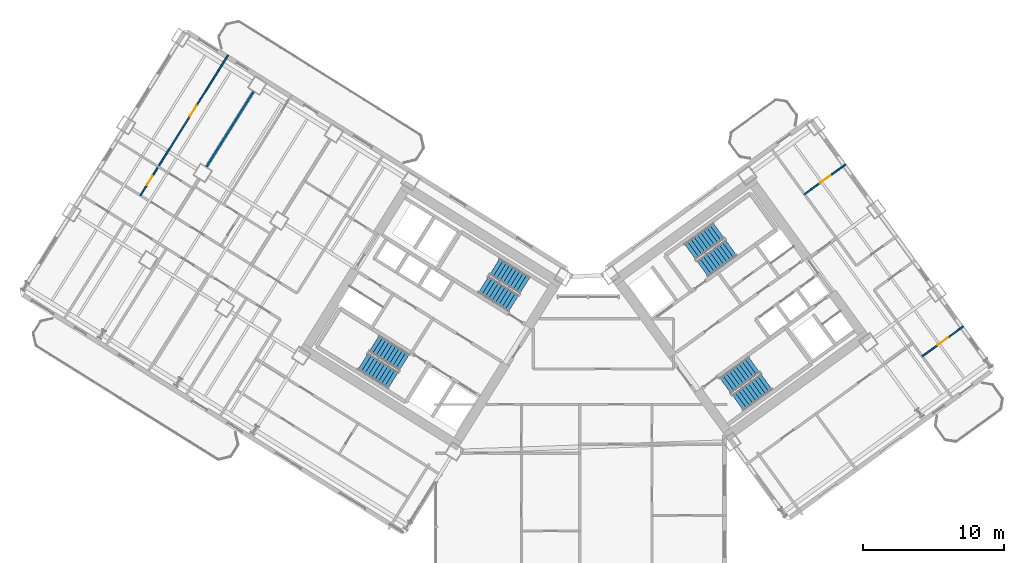
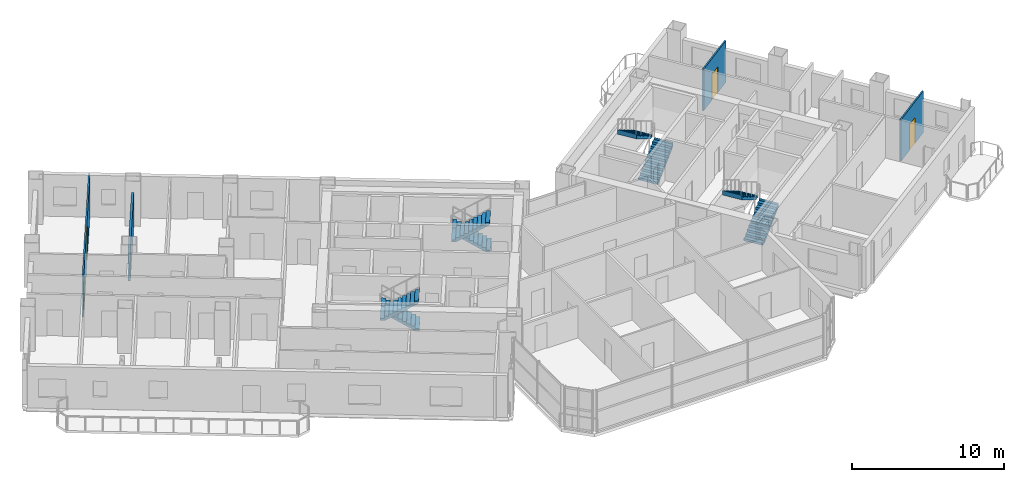
# One storey, part 20 of 24: 8 stair flights, 4 doors, 4 walls, 4 openings, 4 elements without a shape of their own.
"""IFC4 building model written with IfcOpenShell, lengths in metres."""

from ifc_helpers import new_model, si_unit, direction, frame, frame_2d, origin, place, context, subcontext, project, spatial, polyline, rectangle, outline, extrude, source, transform, mapped, material, layer, layer_set, type_object, element, fill, aggregate, save


model = new_model("IFC4")

# Units and contexts
model_context = context("Model", 3, precision=1e-05, world=origin(), true_north=direction((0.0, 1.0)))
body_context = subcontext(model_context, "Body", "Model", "MODEL_VIEW")
ifc_project = project(units=[si_unit("LENGTHUNIT", "METRE"), si_unit("AREAUNIT", "SQUARE_METRE"), si_unit("VOLUMEUNIT", "CUBIC_METRE"), si_unit("PLANEANGLEUNIT", "RADIAN"), si_unit("MASSUNIT", "GRAM", prefix="KILO")], contexts=[model_context])

# Site, building, storey
site_placement = place(None, origin())
site = spatial("IfcSite", under=ifc_project, at=site_placement, CompositionType="ELEMENT")
building_placement = place(site_placement, origin())
building = spatial("IfcBuilding", under=site, at=building_placement, Name="Tlacorven Tower", CompositionType="ELEMENT")
storey_placement = place(building_placement, frame((0.0, 0.0, 60.0)))
storey = spatial("IfcBuildingStorey", under=building, at=storey_placement, Name="L15", CompositionType="ELEMENT", Elevation=60.0)

# Wall
ifc_material_1 = material(Name="Gypsum plasterboard acoustic partition", Category="gypsum")
ifc_layer_1 = layer(ifc_material_1, 0.159912109375)
ifc_layer_set_1 = layer_set([ifc_layer_1], Name="Gypsum plasterboard acoustic partition")
wall_type_1 = type_object("IfcWallType", Name="WL-DEM-160", PredefinedType="PARTITIONING", material=ifc_layer_set_1)
wall_1_placement = place(storey_placement, frame((18.801513671875, 37.60009765625, 0.0), z_axis=(0.0, 0.0, 1.0), x_axis=(-0.529915015264, -0.848050751193, 0.0)))
element("IfcWall", 1, at=wall_1_placement, inside=storey, type_object=wall_type_1, Name="L15 WS Demising Wall 2", PredefinedType="PARTITIONING", context=body_context, shape_type="SweptSolid", body=[
    extrude(rectangle(XDim=6.27587890625, YDim=0.159912109375, at=frame_2d((3.137939453125, 0.0))), origin(), (0.0, 0.0, 1.0), 2.72509765625),
])

# Wall, openings, doors
ifc_material_2 = material(Name="Gypsum plasterboard partition", Category="gypsum")
ifc_layer_2 = layer(ifc_material_2, 0.110107421875)
ifc_layer_set_2 = layer_set([ifc_layer_2], Name="Gypsum plasterboard partition")
wall_type_2 = type_object("IfcWallType", Name="WL-INT-110", PredefinedType="PARTITIONING", material=ifc_layer_set_2)
wall_2_placement = place(storey_placement, frame((16.9951171875, 40.181640625, 0.0), z_axis=(0.0, 0.0, 1.0), x_axis=(-0.529927783988, -0.848042772363, 0.0)))
wall_2 = element("IfcWall", 2, at=wall_2_placement, inside=storey, type_object=wall_type_2, Name="L15 partition 64", PredefinedType="PARTITIONING", context=body_context, shape_type="SweptSolid", body=[
    extrude(rectangle(XDim=11.719970703125, YDim=0.110107421875, at=frame_2d((5.85986328125, 0.0))), origin(), (0.0, 0.0, 1.0), 3.340087890625),
])
opening_1_placement = place(wall_2_placement, frame((10.080078125, 0.0, 0.0)))
opening_1 = element("IfcOpeningElement", 3, at=opening_1_placement, cuts=wall_2, Name="Opening D22", PredefinedType="OPENING", context=body_context, shape_type="SweptSolid", body=[
    extrude(rectangle(XDim=0.780029296875, YDim=2.050048828125, at=frame_2d((0.39013671875, 1.02490234375))), frame((0.0, 0.06494140625, 0.0), z_axis=(0.0, -1.0, 0.0), x_axis=(1.0, 0.0, 0.0)), (0.0, 0.0, 1.0), 0.130126953125),
])
opening_2_placement = place(wall_2_placement, frame((4.199951171875, 0.0, 0.0)))
opening_2 = element("IfcOpeningElement", 4, at=opening_2_placement, cuts=wall_2, Name="Opening D12", PredefinedType="OPENING", context=body_context, shape_type="SweptSolid", body=[
    extrude(rectangle(XDim=0.919921875, YDim=2.080078125, at=frame_2d((0.4599609375, 1.0400390625))), frame((0.0, 0.06494140625, 0.0), z_axis=(0.0, -1.0, 0.0), x_axis=(1.0, 0.0, 0.0)), (0.0, 0.0, 1.0), 0.130126953125),
])
ifc_material_3 = material(Name="Powder-coated aluminium and timber door", Category="wood")
door_type_1 = type_object("IfcDoorType", Name="DR-INT-WET-0780", OperationType="NOTDEFINED", PredefinedType="DOOR", material=ifc_material_3)
shared_shape_1 = source(origin(), body_context, "Body", "SweptSolid", [
    extrude(rectangle(XDim=0.780029296875, YDim=2.050048828125, at=frame_2d((0.39013671875, 1.02490234375))), frame((0.0, 0.02490234375, 0.0), z_axis=(0.0, -1.0, 0.0), x_axis=(1.0, 0.0, 0.0)), (0.0, 0.0, 1.0), 0.050048828125),
])
door_1_placement = place(opening_1_placement, origin())
door_1 = element("IfcDoor", 5, at=door_1_placement, inside=storey, type_object=door_type_1, Name="L15 door 035", OperationType="SINGLE_SWING_RIGHT", OverallHeight=2.050048828125, OverallWidth=0.780029296875, PredefinedType="DOOR", context=body_context, shape_type="MappedRepresentation", body=[
    mapped(shared_shape_1, transform((0.0, 0.0, 0.0), scale=1.0)),
])
fill(opening_1, door_1)
door_type_2 = type_object("IfcDoorType", Name="DR-INT-ROOM-0920", OperationType="NOTDEFINED", PredefinedType="DOOR", material=ifc_material_3)
shared_shape_2 = source(origin(), body_context, "Body", "SweptSolid", [
    extrude(rectangle(XDim=0.919921875, YDim=2.080078125, at=frame_2d((0.4599609375, 1.0400390625))), frame((0.0, 0.02490234375, 0.0), z_axis=(0.0, -1.0, 0.0), x_axis=(1.0, 0.0, 0.0)), (0.0, 0.0, 1.0), 0.050048828125),
])
door_2_placement = place(opening_2_placement, origin())
door_2 = element("IfcDoor", 6, at=door_2_placement, inside=storey, type_object=door_type_2, Name="L15 door 036", OperationType="SINGLE_SWING_LEFT", OverallHeight=2.080078125, OverallWidth=0.919921875, PredefinedType="DOOR", context=body_context, shape_type="MappedRepresentation", body=[
    mapped(shared_shape_2, transform((0.0, 0.0, 0.0), scale=1.0)),
])
fill(opening_2, door_2)

# Wall, opening, door
wall_3_placement = place(storey_placement, frame((57.88916015625, 30.32421875, 0.0), z_axis=(0.0, 0.0, 1.0), x_axis=(0.809005039917, 0.58780170584, 0.0)))
wall_3 = element("IfcWall", 7, at=wall_3_placement, inside=storey, type_object=wall_type_2, Name="L15 partition 96", PredefinedType="PARTITIONING", context=body_context, shape_type="SweptSolid", body=[
    extrude(rectangle(XDim=3.610107421875, YDim=0.110107421875, at=frame_2d((1.80517578125, 0.0))), origin(), (0.0, 0.0, 1.0), 3.340087890625),
])
opening_3_placement = place(wall_3_placement, frame((1.344970703125, 0.0, 0.0)))
opening_3 = element("IfcOpeningElement", 8, at=opening_3_placement, cuts=wall_3, Name="Opening D12", PredefinedType="OPENING", context=body_context, shape_type="SweptSolid", body=[
    extrude(rectangle(XDim=0.919921875, YDim=2.080078125, at=frame_2d((0.4599609375, 1.0400390625))), frame((0.0, 0.06494140625, 0.0), z_axis=(0.0, -1.0, 0.0), x_axis=(1.0, 0.0, 0.0)), (0.0, 0.0, 1.0), 0.130126953125),
])
door_3_placement = place(opening_3_placement, origin())
door_3 = element("IfcDoor", 9, at=door_3_placement, inside=storey, type_object=door_type_2, Name="L15 door 056", OperationType="SINGLE_SWING_LEFT", OverallHeight=2.080078125, OverallWidth=0.919921875, PredefinedType="DOOR", context=body_context, shape_type="MappedRepresentation", body=[
    mapped(shared_shape_2, transform((0.0, 0.0, 0.0), scale=1.0)),
])
fill(opening_3, door_3)

wall_4_placement = place(storey_placement, frame((66.23828125, 18.8330078125, 0.0), z_axis=(0.0, 0.0, 1.0), x_axis=(0.809013833588, 0.587789602718, 0.0)))
wall_4 = element("IfcWall", 10, at=wall_4_placement, inside=storey, type_object=wall_type_2, Name="L15 partition 97", PredefinedType="PARTITIONING", context=body_context, shape_type="SweptSolid", body=[
    extrude(rectangle(XDim=3.60986328125, YDim=0.110107421875, at=frame_2d((1.804931640625, 0.0))), origin(), (0.0, 0.0, 1.0), 3.340087890625),
])
opening_4_placement = place(wall_4_placement, frame((1.344970703125, 0.0, 0.0)))
opening_4 = element("IfcOpeningElement", 11, at=opening_4_placement, cuts=wall_4, Name="Opening D12", PredefinedType="OPENING", context=body_context, shape_type="SweptSolid", body=[
    extrude(rectangle(XDim=0.919921875, YDim=2.080078125, at=frame_2d((0.4599609375, 1.0400390625))), frame((0.0, 0.06494140625, 0.0), z_axis=(0.0, -1.0, 0.0), x_axis=(1.0, 0.0, 0.0)), (0.0, 0.0, 1.0), 0.130126953125),
])
door_4_placement = place(opening_4_placement, origin())
door_4 = element("IfcDoor", 12, at=door_4_placement, inside=storey, type_object=door_type_2, Name="L15 door 058", OperationType="SINGLE_SWING_LEFT", OverallHeight=2.080078125, OverallWidth=0.919921875, PredefinedType="DOOR", context=body_context, shape_type="MappedRepresentation", body=[
    mapped(shared_shape_2, transform((0.0, 0.0, 0.0), scale=1.0)),
])
fill(opening_4, door_4)

# Stair, stair flights
ifc_material_4 = material(Name="Concrete C40/50", Category="concrete")
stair_type = type_object("IfcStairType", Name="ST-CORE-DLG", PredefinedType="HALF_TURN_STAIR", material=ifc_material_4)
stair_1_placement = place(storey_placement, origin())
stair_1 = element("IfcStair", 13, at=stair_1_placement, inside=storey, type_object=stair_type, Name="L15 Protected Exit Stair West 1", PredefinedType="HALF_TURN_STAIR")
stair_flight_type = type_object("IfcStairFlightType", Name="SFL-RC-1380", PredefinedType="STRAIGHT", material=ifc_material_4)
shared_shape_3 = source(origin(), body_context, "Body", "SweptSolid", [
    extrude(outline(polyline([(-0.0029296875, -0.0029296875), (-0.0029296875, 0.179931640625), (0.280029296875, 0.179931640625), (0.280029296875, 0.360107421875), (0.56005859375, 0.360107421875), (0.56005859375, 0.5400390625), (0.840087890625, 0.5400390625), (0.840087890625, 0.719970703125), (1.1201171875, 0.719970703125), (1.1201171875, 0.89990234375), (1.39990234375, 0.89990234375), (1.39990234375, 1.080078125), (1.679931640625, 1.080078125), (1.679931640625, 1.260009765625), (1.9599609375, 1.260009765625), (1.9599609375, 1.43994140625), (2.239990234375, 1.43994140625), (2.239990234375, 1.6201171875), (2.52001953125, 1.6201171875), (2.52001953125, 1.800048828125), (2.52294921875, 1.800048828125), (2.52294921875, 1.429931640625), (2.52001953125, 1.429931640625), (0.295654296875, 0.0), (0.295654296875, -0.0029296875), (-0.0029296875, -0.0029296875)])), frame((0.0, 0.68994140625, 0.0), z_axis=(0.0, -1.0, 0.0), x_axis=(1.0, 0.0, 0.0)), (0.0, 0.0, 1.0), 1.3798828125),
])
stair_flight_1_placement = place(storey_placement, frame((29.499755859375, 18.39453125, 0.0), z_axis=(0.0, 0.0, 1.0), x_axis=(-0.848048096156, 0.529919264233, 0.0)))
stair_flight_1 = element("IfcStairFlight", 14, at=stair_flight_1_placement, type_object=stair_flight_type, Name="ST-W1 flight 1", NumberOfRisers=10, NumberOfTreads=9, PredefinedType="STRAIGHT", RiserHeight=0.18, TreadLength=0.28, context=body_context, shape_type="MappedRepresentation", body=[
    mapped(shared_shape_3, transform((0.0, 0.0, 0.0), scale=1.0)),
])
stair_flight_2_placement = place(storey_placement, frame((26.56787109375, 18.4580078125, 1.800048828125), z_axis=(0.0, 0.0, 1.0), x_axis=(0.848048096156, -0.529919264233, 0.0)))
stair_flight_2 = element("IfcStairFlight", 15, at=stair_flight_2_placement, type_object=stair_flight_type, Name="ST-W1 flight 2", NumberOfRisers=10, NumberOfTreads=9, PredefinedType="STRAIGHT", RiserHeight=0.18, TreadLength=0.28, context=body_context, shape_type="MappedRepresentation", body=[
    mapped(shared_shape_3, transform((0.0, 0.0, 0.0), scale=1.0)),
])
aggregate(stair_1, [stair_flight_1, stair_flight_2])

stair_2_placement = place(storey_placement, origin())
stair_2 = element("IfcStair", 16, at=stair_2_placement, inside=storey, type_object=stair_type, Name="L15 Protected Exit Stair West 2", PredefinedType="HALF_TURN_STAIR")
stair_flight_3_placement = place(storey_placement, frame((38.051513671875, 23.852294921875, 0.0), z_axis=(0.0, 0.0, 1.0), x_axis=(-0.848048096156, 0.529919264233, 0.0)))
stair_flight_3 = element("IfcStairFlight", 17, at=stair_flight_3_placement, type_object=stair_flight_type, Name="ST-W2 flight 1", NumberOfRisers=10, NumberOfTreads=9, PredefinedType="STRAIGHT", RiserHeight=0.18, TreadLength=0.28, context=body_context, shape_type="MappedRepresentation", body=[
    mapped(shared_shape_3, transform((0.0, 0.0, 0.0), scale=1.0)),
])
stair_flight_4_placement = place(storey_placement, frame((35.119384765625, 23.91552734375, 1.800048828125), z_axis=(0.0, 0.0, 1.0), x_axis=(0.848048096156, -0.529919264233, 0.0)))
stair_flight_4 = element("IfcStairFlight", 18, at=stair_flight_4_placement, type_object=stair_flight_type, Name="ST-W2 flight 2", NumberOfRisers=10, NumberOfTreads=9, PredefinedType="STRAIGHT", RiserHeight=0.18, TreadLength=0.28, context=body_context, shape_type="MappedRepresentation", body=[
    mapped(shared_shape_3, transform((0.0, 0.0, 0.0), scale=1.0)),
])
aggregate(stair_2, [stair_flight_3, stair_flight_4])

stair_3_placement = place(storey_placement, origin())
stair_3 = element("IfcStair", 19, at=stair_3_placement, inside=storey, type_object=stair_type, Name="L15 Protected Exit Stair East 1", PredefinedType="HALF_TURN_STAIR")
stair_flight_5_placement = place(storey_placement, frame((50.6533203125, 25.0400390625, 0.0), z_axis=(0.0, 0.0, 1.0), x_axis=(0.809016994375, 0.587785252292, 0.0)))
stair_flight_5 = element("IfcStairFlight", 20, at=stair_flight_5_placement, type_object=stair_flight_type, Name="ST-E1 flight 1", NumberOfRisers=10, NumberOfTreads=9, PredefinedType="STRAIGHT", RiserHeight=0.18, TreadLength=0.28, context=body_context, shape_type="MappedRepresentation", body=[
    mapped(shared_shape_3, transform((0.0, 0.0, 0.0), scale=1.0)),
])
stair_flight_6_placement = place(storey_placement, frame((51.810546875, 27.734619140625, 1.800048828125), z_axis=(0.0, 0.0, 1.0), x_axis=(-0.809016994375, -0.587785252292, 0.0)))
stair_flight_6 = element("IfcStairFlight", 21, at=stair_flight_6_placement, type_object=stair_flight_type, Name="ST-E1 flight 2", NumberOfRisers=10, NumberOfTreads=9, PredefinedType="STRAIGHT", RiserHeight=0.18, TreadLength=0.28, context=body_context, shape_type="MappedRepresentation", body=[
    mapped(shared_shape_3, transform((0.0, 0.0, 0.0), scale=1.0)),
])
aggregate(stair_3, [stair_flight_5, stair_flight_6])

stair_4_placement = place(storey_placement, origin())
stair_4 = element("IfcStair", 22, at=stair_4_placement, inside=storey, type_object=stair_type, Name="L15 Protected Exit Stair East 2", PredefinedType="HALF_TURN_STAIR")
stair_flight_7_placement = place(storey_placement, frame((53.157470703125, 15.536865234375, 0.0), z_axis=(0.0, 0.0, 1.0), x_axis=(0.809016994375, 0.587785252292, 0.0)))
stair_flight_7 = element("IfcStairFlight", 23, at=stair_flight_7_placement, type_object=stair_flight_type, Name="ST-E2 flight 1", NumberOfRisers=10, NumberOfTreads=9, PredefinedType="STRAIGHT", RiserHeight=0.18, TreadLength=0.28, context=body_context, shape_type="MappedRepresentation", body=[
    mapped(shared_shape_3, transform((0.0, 0.0, 0.0), scale=1.0)),
])
stair_flight_8_placement = place(storey_placement, frame((54.314453125, 18.231689453125, 1.800048828125), z_axis=(0.0, 0.0, 1.0), x_axis=(-0.809016994375, -0.587785252292, 0.0)))
stair_flight_8 = element("IfcStairFlight", 24, at=stair_flight_8_placement, type_object=stair_flight_type, Name="ST-E2 flight 2", NumberOfRisers=10, NumberOfTreads=9, PredefinedType="STRAIGHT", RiserHeight=0.18, TreadLength=0.28, context=body_context, shape_type="MappedRepresentation", body=[
    mapped(shared_shape_3, transform((0.0, 0.0, 0.0), scale=1.0)),
])
aggregate(stair_4, [stair_flight_7, stair_flight_8])

save(model, "model.ifc")
